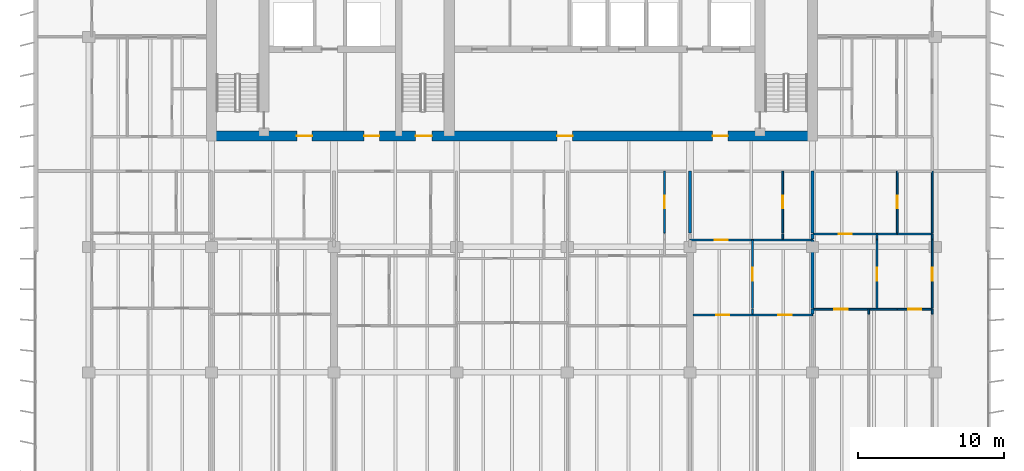
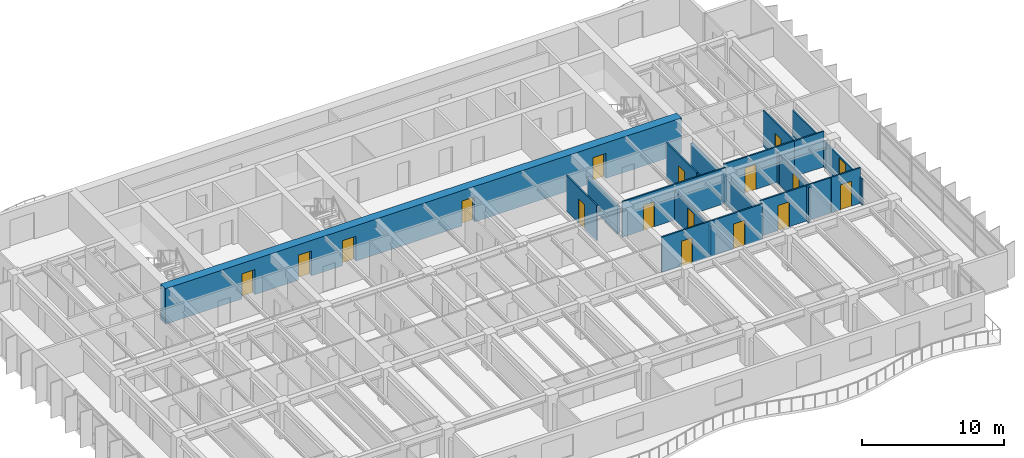
# One storey, part 11 of 18: 25 walls, 17 doors, 17 openings.
"""IFC4 building model written with IfcOpenShell, lengths in metres."""

from ifc_helpers import new_model, si_unit, direction, frame, frame_2d, origin, place, context, subcontext, project, spatial, rectangle, extrude, material, layer, layer_set, type_object, element, fill, save


model = new_model("IFC4")

# Units and contexts
model_context = context("Model", 3, precision=1e-05, world=origin(), true_north=direction((0.0, 1.0)))
body_context = subcontext(model_context, "Body", "Model", "MODEL_VIEW")
ifc_project = project(units=[si_unit("LENGTHUNIT", "METRE"), si_unit("AREAUNIT", "SQUARE_METRE"), si_unit("VOLUMEUNIT", "CUBIC_METRE"), si_unit("PLANEANGLEUNIT", "RADIAN"), si_unit("MASSUNIT", "GRAM", prefix="KILO")], contexts=[model_context])

# Site, building, storey
site_placement = place(None, origin())
site = spatial("IfcSite", under=ifc_project, at=site_placement, CompositionType="ELEMENT")
building_placement = place(site_placement, origin())
building = spatial("IfcBuilding", under=site, at=building_placement, Name="Caelmar Bay Residences", CompositionType="ELEMENT")
storey_placement = place(building_placement, frame((0.0, 0.0, 177.0)))
storey = spatial("IfcBuildingStorey", under=building, at=storey_placement, Name="L49", CompositionType="ELEMENT", Elevation=177.0)

# Wall, openings, doors
ifc_material_1 = material(Name="Concrete f'c 55 MPa (8,000 psi)", Category="concrete")
ifc_layer_1 = layer(ifc_material_1, 0.699951171875)
ifc_layer_set_1 = layer_set([ifc_layer_1], Name="Concrete f'c 55 MPa (8,000 psi)")
wall_type_1 = type_object("IfcWallType", Name="SW-COR-700", PredefinedType="SHEAR", material=ifc_layer_set_1)
wall_1_placement = place(storey_placement, frame((17.949951171875, 37.0, 0.0), z_axis=(0.0, 0.0, 1.0), x_axis=(1.0, 0.0, 0.0)))
wall_1 = element("IfcWall", 1, at=wall_1_placement, inside=storey, type_object=wall_type_1, Name="L49 Rear Core South Shear Wall", PredefinedType="SHEAR", context=body_context, shape_type="SweptSolid", body=[
    extrude(rectangle(XDim=41.900146484375, YDim=0.699951171875, at=frame_2d((20.9501953125, 0.0))), origin(), (0.0, 0.0, 1.0), 3.050048828125),
])
opening_1_placement = place(wall_1_placement, frame((14.35009765625, 0.0, 0.0)))
opening_1 = element("IfcOpeningElement", 2, at=opening_1_placement, cuts=wall_1, Name="Opening D-L49-105", PredefinedType="OPENING", context=body_context, shape_type="SweptSolid", body=[
    extrude(rectangle(XDim=1.10009765625, YDim=2.14990234375, at=frame_2d((0.550048828125, 1.074951171875))), frame((0.0, 0.35986328125, 0.0), z_axis=(0.0, -1.0, 0.0), x_axis=(1.0, 0.0, 0.0)), (0.0, 0.0, 1.0), 0.719970703125),
])
opening_2_placement = place(wall_1_placement, frame((6.199951171875, 0.0, 0.0)))
opening_2 = element("IfcOpeningElement", 3, at=opening_2_placement, cuts=wall_1, Name="Opening D-L49-106", PredefinedType="OPENING", context=body_context, shape_type="SweptSolid", body=[
    extrude(rectangle(XDim=1.050048828125, YDim=2.14990234375, at=frame_2d((0.52490234375, 1.074951171875))), frame((0.0, 0.35986328125, 0.0), z_axis=(0.0, -1.0, 0.0), x_axis=(1.0, 0.0, 0.0)), (0.0, 0.0, 1.0), 0.719970703125),
])
opening_3_placement = place(wall_1_placement, frame((34.699951171875, 0.0, 0.0)))
opening_3 = element("IfcOpeningElement", 4, at=opening_3_placement, cuts=wall_1, Name="Opening D-L49-109", PredefinedType="OPENING", context=body_context, shape_type="SweptSolid", body=[
    extrude(rectangle(XDim=1.050048828125, YDim=2.14990234375, at=frame_2d((0.52490234375, 1.074951171875))), frame((0.0, 0.35986328125, 0.0), z_axis=(0.0, -1.0, 0.0), x_axis=(1.0, 0.0, 0.0)), (0.0, 0.0, 1.0), 0.719970703125),
])
opening_4_placement = place(wall_1_placement, frame((10.8125, 0.0, 0.0)))
opening_4 = element("IfcOpeningElement", 5, at=opening_4_placement, cuts=wall_1, Name="Opening D-L49-112", PredefinedType="OPENING", context=body_context, shape_type="SweptSolid", body=[
    extrude(rectangle(XDim=1.050048828125, YDim=2.14990234375, at=frame_2d((0.52490234375, 1.074951171875))), frame((0.0, 0.35986328125, 0.0), z_axis=(0.0, -1.0, 0.0), x_axis=(1.0, 0.0, 0.0)), (0.0, 0.0, 1.0), 0.719970703125),
])
opening_5_placement = place(wall_1_placement, frame((24.050048828125, 0.0, 0.0)))
opening_5 = element("IfcOpeningElement", 6, at=opening_5_placement, cuts=wall_1, Name="Opening D-L49-113", PredefinedType="OPENING", context=body_context, shape_type="SweptSolid", body=[
    extrude(rectangle(XDim=1.050048828125, YDim=2.14990234375, at=frame_2d((0.52490234375, 1.074951171875))), frame((0.0, 0.35986328125, 0.0), z_axis=(0.0, -1.0, 0.0), x_axis=(1.0, 0.0, 0.0)), (0.0, 0.0, 1.0), 0.719970703125),
])
ifc_material_2 = material(Name="Fire-rated steel and walnut architectural door assembly", Category="steel")
ifc_layer_2 = layer(ifc_material_2, 0.050048828125)
ifc_layer_set_2 = layer_set([ifc_layer_2], Name="Fire-rated steel and walnut architectural door assembly")
door_type_1 = type_object("IfcDoorType", Name="D-FSAE-1050", OperationType="NOTDEFINED", PredefinedType="DOOR", material=ifc_layer_set_2)
door_1_placement = place(opening_2_placement, origin())
door_1 = element("IfcDoor", 7, at=door_1_placement, inside=storey, type_object=door_type_1, Name="L49 Firefighting Lobby West Door", OperationType="SINGLE_SWING_LEFT", OverallHeight=2.14990234375, OverallWidth=1.050048828125, PredefinedType="DOOR", context=body_context, shape_type="SweptSolid", body=[
    extrude(rectangle(XDim=1.050048828125, YDim=2.14990234375, at=frame_2d((0.52490234375, 1.074951171875))), frame((0.0, 0.02490234375, 0.0), z_axis=(0.0, -1.0, 0.0), x_axis=(1.0, 0.0, 0.0)), (0.0, 0.0, 1.0), 0.050048828125),
])
fill(opening_2, door_1)
door_2_placement = place(opening_3_placement, origin())
door_2 = element("IfcDoor", 8, at=door_2_placement, inside=storey, type_object=door_type_1, Name="L49 Firefighting Lobby East Door", OperationType="SINGLE_SWING_RIGHT", OverallHeight=2.14990234375, OverallWidth=1.050048828125, PredefinedType="DOOR", context=body_context, shape_type="SweptSolid", body=[
    extrude(rectangle(XDim=1.050048828125, YDim=2.14990234375, at=frame_2d((0.52490234375, 1.074951171875))), frame((0.0, 0.02490234375, 0.0), z_axis=(0.0, -1.0, 0.0), x_axis=(1.0, 0.0, 0.0)), (0.0, 0.0, 1.0), 0.050048828125),
])
fill(opening_3, door_2)
door_3_placement = place(opening_4_placement, origin())
door_3 = element("IfcDoor", 9, at=door_3_placement, inside=storey, type_object=door_type_1, Name="L49 West Lift Lobby Door", OperationType="SINGLE_SWING_LEFT", OverallHeight=2.14990234375, OverallWidth=1.050048828125, PredefinedType="DOOR", context=body_context, shape_type="SweptSolid", body=[
    extrude(rectangle(XDim=1.050048828125, YDim=2.14990234375, at=frame_2d((0.52490234375, 1.074951171875))), frame((0.0, 0.02490234375, 0.0), z_axis=(0.0, -1.0, 0.0), x_axis=(1.0, 0.0, 0.0)), (0.0, 0.0, 1.0), 0.050048828125),
])
fill(opening_4, door_3)
door_4_placement = place(opening_5_placement, origin())
door_4 = element("IfcDoor", 10, at=door_4_placement, inside=storey, type_object=door_type_1, Name="L49 Passenger Lift Lobby Door", OperationType="SINGLE_SWING_RIGHT", OverallHeight=2.14990234375, OverallWidth=1.050048828125, PredefinedType="DOOR", context=body_context, shape_type="SweptSolid", body=[
    extrude(rectangle(XDim=1.050048828125, YDim=2.14990234375, at=frame_2d((0.52490234375, 1.074951171875))), frame((0.0, 0.02490234375, 0.0), z_axis=(0.0, -1.0, 0.0), x_axis=(1.0, 0.0, 0.0)), (0.0, 0.0, 1.0), 0.050048828125),
])
fill(opening_5, door_4)
ifc_layer_3 = layer(ifc_material_2, 0.050048828125)
ifc_layer_set_3 = layer_set([ifc_layer_3], Name="Fire-rated steel and walnut architectural door assembly")
door_type_2 = type_object("IfcDoorType", Name="D-STAIR-1100", OperationType="NOTDEFINED", PredefinedType="DOOR", material=ifc_layer_set_3)
door_5_placement = place(opening_1_placement, origin())
door_5 = element("IfcDoor", 11, at=door_5_placement, inside=storey, type_object=door_type_2, Name="L49 Exit Stair ST3 Door", OperationType="SINGLE_SWING_RIGHT", OverallHeight=2.14990234375, OverallWidth=1.10009765625, PredefinedType="DOOR", context=body_context, shape_type="SweptSolid", body=[
    extrude(rectangle(XDim=1.10009765625, YDim=2.14990234375, at=frame_2d((0.550048828125, 1.074951171875))), frame((0.0, 0.02490234375, 0.0), z_axis=(0.0, -1.0, 0.0), x_axis=(1.0, 0.0, 0.0)), (0.0, 0.0, 1.0), 0.050048828125),
])
fill(opening_1, door_5)

# Wall, opening, door
ifc_material_3 = material(Name="Acoustic metal-stud gypsum partition 120 mm")
ifc_layer_4 = layer(ifc_material_3, 0.1201171875)
ifc_layer_set_4 = layer_set([ifc_layer_4], Name="Acoustic metal-stud gypsum partition 120 mm")
wall_type_2 = type_object("IfcWallType", Name="W-PRT-120", PredefinedType="PARTITIONING", material=ifc_layer_set_4)
wall_2_placement = place(storey_placement, frame((49.35888671875, 30.340087890625, 0.0), z_axis=(0.0, 0.0, 1.0), x_axis=(0.0, 1.0, 0.0)))
wall_2 = element("IfcWall", 12, at=wall_2_placement, inside=storey, type_object=wall_type_2, Name="L49 Partition Wall V066", PredefinedType="PARTITIONING", context=body_context, shape_type="SweptSolid", body=[
    extrude(rectangle(XDim=4.260009765625, YDim=0.1201171875, at=frame_2d((2.1298828125, 0.0))), origin(), (0.0, 0.0, 1.0), 3.050048828125),
])
opening_6_placement = place(wall_2_placement, frame((1.705078125, 0.0, 0.0)))
opening_6 = element("IfcOpeningElement", 13, at=opening_6_placement, cuts=wall_2, Name="Opening D-L49-146", PredefinedType="OPENING", context=body_context, shape_type="SweptSolid", body=[
    extrude(rectangle(XDim=0.85009765625, YDim=2.10009765625, at=frame_2d((0.425048828125, 1.050048828125))), frame((0.0, 0.070068359375, 0.0), z_axis=(0.0, -1.0, 0.0), x_axis=(1.0, 0.0, 0.0)), (0.0, 0.0, 1.0), 0.14013671875),
])
ifc_material_4 = material(Name="Solid walnut timber interior door leaf and frame", Category="wood")
ifc_layer_5 = layer(ifc_material_4, 0.050048828125)
ifc_layer_set_5 = layer_set([ifc_layer_5], Name="Solid walnut timber interior door leaf and frame")
door_type_3 = type_object("IfcDoorType", Name="D-BATH-850", OperationType="NOTDEFINED", PredefinedType="DOOR", material=ifc_layer_set_5)
door_6_placement = place(opening_6_placement, origin())
door_6 = element("IfcDoor", 14, at=door_6_placement, inside=storey, type_object=door_type_3, Name="L49 Residence 03 En-Suite Bathroom 2 Door", OperationType="SINGLE_SWING_LEFT", OverallHeight=2.10009765625, OverallWidth=0.85009765625, PredefinedType="DOOR", context=body_context, shape_type="SweptSolid", body=[
    extrude(rectangle(XDim=0.85009765625, YDim=2.10009765625, at=frame_2d((0.425048828125, 1.050048828125))), frame((0.0, 0.02490234375, 0.0), z_axis=(0.0, -1.0, 0.0), x_axis=(1.0, 0.0, 0.0)), (0.0, 0.0, 1.0), 0.050048828125),
])
fill(opening_6, door_6)

# Wall
wall_3_placement = place(storey_placement, frame((55.385986328125, 24.7900390625, 0.0), z_axis=(0.0, 0.0, 1.0), x_axis=(0.0, 1.0, 0.0)))
element("IfcWall", 15, at=wall_3_placement, inside=storey, type_object=wall_type_2, Name="L49 Partition Wall V075", PredefinedType="PARTITIONING", context=body_context, shape_type="SweptSolid", body=[
    extrude(rectangle(XDim=0.33984375, YDim=0.1201171875, at=frame_2d((0.169921875, 0.0))), origin(), (0.0, 0.0, 1.0), 2.4990234375),
])

# Wall, opening, door
wall_4_placement = place(storey_placement, frame((55.385986328125, 25.18994140625, 0.0), z_axis=(0.0, 0.0, 1.0), x_axis=(0.0, 1.0, 0.0)))
wall_4 = element("IfcWall", 16, at=wall_4_placement, inside=storey, type_object=wall_type_2, Name="L49 Partition Wall V076", PredefinedType="PARTITIONING", context=body_context, shape_type="SweptSolid", body=[
    extrude(rectangle(XDim=4.68994140625, YDim=0.1201171875, at=frame_2d((2.344970703125, 0.0))), origin(), (0.0, 0.0, 1.0), 2.4990234375),
])
opening_7_placement = place(wall_4_placement, frame((1.89501953125, 0.0, 0.0)))
opening_7 = element("IfcOpeningElement", 17, at=opening_7_placement, cuts=wall_4, Name="Opening D-L49-152", PredefinedType="OPENING", context=body_context, shape_type="SweptSolid", body=[
    extrude(rectangle(XDim=0.89990234375, YDim=2.14990234375, at=frame_2d((0.449951171875, 1.074951171875))), frame((0.0, 0.070068359375, 0.0), z_axis=(0.0, -1.0, 0.0), x_axis=(1.0, 0.0, 0.0)), (0.0, 0.0, 1.0), 0.14013671875),
])
ifc_layer_6 = layer(ifc_material_4, 0.050048828125)
ifc_layer_set_6 = layer_set([ifc_layer_6], Name="Solid walnut timber interior door leaf and frame")
door_type_4 = type_object("IfcDoorType", Name="D-ROOM-900", OperationType="NOTDEFINED", PredefinedType="DOOR", material=ifc_layer_set_6)
door_7_placement = place(opening_7_placement, origin())
door_7 = element("IfcDoor", 18, at=door_7_placement, inside=storey, type_object=door_type_4, Name="L49 Residence 04 Formal Dining Room Door", OperationType="SINGLE_SWING_LEFT", OverallHeight=2.14990234375, OverallWidth=0.89990234375, PredefinedType="DOOR", context=body_context, shape_type="SweptSolid", body=[
    extrude(rectangle(XDim=0.89990234375, YDim=2.14990234375, at=frame_2d((0.449951171875, 1.074951171875))), frame((0.0, 0.02490234375, 0.0), z_axis=(0.0, -1.0, 0.0), x_axis=(1.0, 0.0, 0.0)), (0.0, 0.0, 1.0), 0.050048828125),
])
fill(opening_7, door_7)

# Wall
wall_5_placement = place(storey_placement, frame((57.466064453125, 29.93994140625, 0.0), z_axis=(0.0, 0.0, 1.0), x_axis=(0.0, 1.0, 0.0)))
element("IfcWall", 19, at=wall_5_placement, inside=storey, type_object=wall_type_2, Name="L49 Partition Wall V080", PredefinedType="PARTITIONING", context=body_context, shape_type="SweptSolid", body=[
    extrude(rectangle(XDim=0.340087890625, YDim=0.1201171875, at=frame_2d((0.169921875, 0.0))), origin(), (0.0, 0.0, 1.0), 3.050048828125),
])

# Wall, opening, door
wall_6_placement = place(storey_placement, frame((57.466064453125, 30.340087890625, 0.0), z_axis=(0.0, 0.0, 1.0), x_axis=(0.0, 1.0, 0.0)))
wall_6 = element("IfcWall", 20, at=wall_6_placement, inside=storey, type_object=wall_type_2, Name="L49 Partition Wall V081", PredefinedType="PARTITIONING", context=body_context, shape_type="SweptSolid", body=[
    extrude(rectangle(XDim=4.260009765625, YDim=0.1201171875, at=frame_2d((2.1298828125, 0.0))), origin(), (0.0, 0.0, 1.0), 3.050048828125),
])
opening_8_placement = place(wall_6_placement, frame((1.705078125, 0.0, 0.0)))
opening_8 = element("IfcOpeningElement", 21, at=opening_8_placement, cuts=wall_6, Name="Opening D-L49-150", PredefinedType="OPENING", context=body_context, shape_type="SweptSolid", body=[
    extrude(rectangle(XDim=0.85009765625, YDim=2.10009765625, at=frame_2d((0.425048828125, 1.050048828125))), frame((0.0, 0.070068359375, 0.0), z_axis=(0.0, -1.0, 0.0), x_axis=(1.0, 0.0, 0.0)), (0.0, 0.0, 1.0), 0.14013671875),
])
door_8_placement = place(opening_8_placement, origin())
door_8 = element("IfcDoor", 22, at=door_8_placement, inside=storey, type_object=door_type_3, Name="L49 Residence 04 Bathroom Door", OperationType="SINGLE_SWING_LEFT", OverallHeight=2.10009765625, OverallWidth=0.85009765625, PredefinedType="DOOR", context=body_context, shape_type="SweptSolid", body=[
    extrude(rectangle(XDim=0.85009765625, YDim=2.10009765625, at=frame_2d((0.425048828125, 1.050048828125))), frame((0.0, 0.02490234375, 0.0), z_axis=(0.0, -1.0, 0.0), x_axis=(1.0, 0.0, 0.0)), (0.0, 0.0, 1.0), 0.050048828125),
])
fill(opening_8, door_8)

# Wall
wall_7_placement = place(storey_placement, frame((63.35400390625, 24.7900390625, 0.0), z_axis=(0.0, 0.0, 1.0), x_axis=(0.0, 1.0, 0.0)))
element("IfcWall", 23, at=wall_7_placement, inside=storey, type_object=wall_type_2, Name="L49 Partition Wall V091", PredefinedType="PARTITIONING", context=body_context, shape_type="SweptSolid", body=[
    extrude(rectangle(XDim=0.33984375, YDim=0.1201171875, at=frame_2d((0.169921875, 0.0))), origin(), (0.0, 0.0, 1.0), 3.050048828125),
])

# Wall, opening, door
wall_8_placement = place(storey_placement, frame((63.927978515625, 25.18994140625, 0.0), z_axis=(0.0, 0.0, 1.0), x_axis=(0.0, 1.0, 0.0)))
wall_8 = element("IfcWall", 24, at=wall_8_placement, inside=storey, type_object=wall_type_2, Name="L49 Partition Wall V092", PredefinedType="PARTITIONING", context=body_context, shape_type="SweptSolid", body=[
    extrude(rectangle(XDim=4.68994140625, YDim=0.1201171875, at=frame_2d((2.344970703125, 0.0))), origin(), (0.0, 0.0, 1.0), 2.4990234375),
])
opening_9_placement = place(wall_8_placement, frame((1.89501953125, 0.0, 0.0)))
opening_9 = element("IfcOpeningElement", 25, at=opening_9_placement, cuts=wall_8, Name="Opening D-L49-159", PredefinedType="OPENING", context=body_context, shape_type="SweptSolid", body=[
    extrude(rectangle(XDim=0.89990234375, YDim=2.14990234375, at=frame_2d((0.449951171875, 1.074951171875))), frame((0.0, 0.070068359375, 0.0), z_axis=(0.0, -1.0, 0.0), x_axis=(1.0, 0.0, 0.0)), (0.0, 0.0, 1.0), 0.14013671875),
])
door_9_placement = place(opening_9_placement, origin())
door_9 = element("IfcDoor", 26, at=door_9_placement, inside=storey, type_object=door_type_4, Name="L49 Residence 05 Formal Dining Room Door", OperationType="SINGLE_SWING_RIGHT", OverallHeight=2.14990234375, OverallWidth=0.89990234375, PredefinedType="DOOR", context=body_context, shape_type="SweptSolid", body=[
    extrude(rectangle(XDim=0.89990234375, YDim=2.14990234375, at=frame_2d((0.449951171875, 1.074951171875))), frame((0.0, 0.02490234375, 0.0), z_axis=(0.0, -1.0, 0.0), x_axis=(1.0, 0.0, 0.0)), (0.0, 0.0, 1.0), 0.050048828125),
])
fill(opening_9, door_9)

# Wall
wall_9_placement = place(storey_placement, frame((63.927978515625, 29.93994140625, 0.0), z_axis=(0.0, 0.0, 1.0), x_axis=(0.0, 1.0, 0.0)))
element("IfcWall", 27, at=wall_9_placement, inside=storey, type_object=wall_type_2, Name="L49 Partition Wall V093", PredefinedType="PARTITIONING", context=body_context, shape_type="SweptSolid", body=[
    extrude(rectangle(XDim=0.340087890625, YDim=0.1201171875, at=frame_2d((0.169921875, 0.0))), origin(), (0.0, 0.0, 1.0), 2.4990234375),
])

# Wall, opening, door
wall_10_placement = place(storey_placement, frame((65.31591796875, 30.340087890625, 0.0), z_axis=(0.0, 0.0, 1.0), x_axis=(0.0, 1.0, 0.0)))
wall_10 = element("IfcWall", 28, at=wall_10_placement, inside=storey, type_object=wall_type_2, Name="L49 Partition Wall V095", PredefinedType="PARTITIONING", context=body_context, shape_type="SweptSolid", body=[
    extrude(rectangle(XDim=4.260009765625, YDim=0.1201171875, at=frame_2d((2.1298828125, 0.0))), origin(), (0.0, 0.0, 1.0), 3.050048828125),
])
opening_10_placement = place(wall_10_placement, frame((1.705078125, 0.0, 0.0)))
opening_10 = element("IfcOpeningElement", 29, at=opening_10_placement, cuts=wall_10, Name="Opening D-L49-157", PredefinedType="OPENING", context=body_context, shape_type="SweptSolid", body=[
    extrude(rectangle(XDim=0.85009765625, YDim=2.10009765625, at=frame_2d((0.425048828125, 1.050048828125))), frame((0.0, 0.070068359375, 0.0), z_axis=(0.0, -1.0, 0.0), x_axis=(1.0, 0.0, 0.0)), (0.0, 0.0, 1.0), 0.14013671875),
])
door_10_placement = place(opening_10_placement, origin())
door_10 = element("IfcDoor", 30, at=door_10_placement, inside=storey, type_object=door_type_3, Name="L49 Residence 05 Bathroom Door", OperationType="SINGLE_SWING_RIGHT", OverallHeight=2.10009765625, OverallWidth=0.85009765625, PredefinedType="DOOR", context=body_context, shape_type="SweptSolid", body=[
    extrude(rectangle(XDim=0.85009765625, YDim=2.10009765625, at=frame_2d((0.425048828125, 1.050048828125))), frame((0.0, 0.02490234375, 0.0), z_axis=(0.0, -1.0, 0.0), x_axis=(1.0, 0.0, 0.0)), (0.0, 0.0, 1.0), 0.050048828125),
])
fill(opening_10, door_10)

# Wall
wall_11_placement = place(storey_placement, frame((67.699951171875, 24.7900390625, 0.0), z_axis=(0.0, 0.0, 1.0), x_axis=(0.0, 1.0, 0.0)))
element("IfcWall", 31, at=wall_11_placement, inside=storey, type_object=wall_type_2, Name="L49 Partition Wall V097", PredefinedType="PARTITIONING", context=body_context, shape_type="SweptSolid", body=[
    extrude(rectangle(XDim=0.33984375, YDim=0.1201171875, at=frame_2d((0.169921875, 0.0))), origin(), (0.0, 0.0, 1.0), 2.262939453125),
])

# Wall, opening, door
wall_12_placement = place(storey_placement, frame((67.699951171875, 25.18994140625, 0.0), z_axis=(0.0, 0.0, 1.0), x_axis=(0.0, 1.0, 0.0)))
wall_12 = element("IfcWall", 32, at=wall_12_placement, inside=storey, type_object=wall_type_2, Name="L49 Partition Wall V098", PredefinedType="PARTITIONING", context=body_context, shape_type="SweptSolid", body=[
    extrude(rectangle(XDim=4.68994140625, YDim=0.1201171875, at=frame_2d((2.344970703125, 0.0))), origin(), (0.0, 0.0, 1.0), 2.262939453125),
])
opening_11_placement = place(wall_12_placement, frame((1.89501953125, 0.0, 0.0)))
opening_11 = element("IfcOpeningElement", 33, at=opening_11_placement, cuts=wall_12, Name="Opening D-L49-164", PredefinedType="OPENING", context=body_context, shape_type="SweptSolid", body=[
    extrude(rectangle(XDim=0.89990234375, YDim=2.14990234375, at=frame_2d((0.449951171875, 1.074951171875))), frame((0.0, 0.070068359375, 0.0), z_axis=(0.0, -1.0, 0.0), x_axis=(1.0, 0.0, 0.0)), (0.0, 0.0, 1.0), 0.14013671875),
])
door_11_placement = place(opening_11_placement, origin())
door_11 = element("IfcDoor", 34, at=door_11_placement, inside=storey, type_object=door_type_4, Name="L49 Residence 05 Penthouse East Salon Door", OperationType="SINGLE_SWING_LEFT", OverallHeight=2.14990234375, OverallWidth=0.89990234375, PredefinedType="DOOR", context=body_context, shape_type="SweptSolid", body=[
    extrude(rectangle(XDim=0.89990234375, YDim=2.14990234375, at=frame_2d((0.449951171875, 1.074951171875))), frame((0.0, 0.02490234375, 0.0), z_axis=(0.0, -1.0, 0.0), x_axis=(1.0, 0.0, 0.0)), (0.0, 0.0, 1.0), 0.050048828125),
])
fill(opening_11, door_11)

# Walls
wall_13_placement = place(storey_placement, frame((67.699951171875, 29.93994140625, 0.0), z_axis=(0.0, 0.0, 1.0), x_axis=(0.0, 1.0, 0.0)))
element("IfcWall", 35, at=wall_13_placement, inside=storey, type_object=wall_type_2, Name="L49 Partition Wall V099", PredefinedType="PARTITIONING", context=body_context, shape_type="SweptSolid", body=[
    extrude(rectangle(XDim=0.340087890625, YDim=0.1201171875, at=frame_2d((0.169921875, 0.0))), origin(), (0.0, 0.0, 1.0), 2.262939453125),
])
wall_14_placement = place(storey_placement, frame((67.699951171875, 30.340087890625, 0.0), z_axis=(0.0, 0.0, 1.0), x_axis=(0.0, 1.0, 0.0)))
element("IfcWall", 36, at=wall_14_placement, inside=storey, type_object=wall_type_2, Name="L49 Partition Wall V100", PredefinedType="PARTITIONING", context=body_context, shape_type="SweptSolid", body=[
    extrude(rectangle(XDim=4.260009765625, YDim=0.1201171875, at=frame_2d((2.1298828125, 0.0))), origin(), (0.0, 0.0, 1.0), 2.262939453125),
])

# Wall, openings, doors
wall_15_placement = place(storey_placement, frame((51.320068359375, 24.72998046875, 0.0), z_axis=(0.0, 0.0, 1.0), x_axis=(1.0, 0.0, 0.0)))
wall_15 = element("IfcWall", 37, at=wall_15_placement, inside=storey, type_object=wall_type_2, Name="L49 Partition Wall H113", PredefinedType="PARTITIONING", context=body_context, shape_type="SweptSolid", body=[
    extrude(rectangle(XDim=8.179931640625, YDim=0.1201171875, at=frame_2d((4.08984375, 0.0))), origin(), (0.0, 0.0, 1.0), 3.050048828125),
])
opening_12_placement = place(wall_15_placement, frame((1.5830078125, 0.0, 0.0)))
opening_12 = element("IfcOpeningElement", 38, at=opening_12_placement, cuts=wall_15, Name="Opening D-L49-153", PredefinedType="OPENING", context=body_context, shape_type="SweptSolid", body=[
    extrude(rectangle(XDim=0.89990234375, YDim=2.14990234375, at=frame_2d((0.449951171875, 1.074951171875))), frame((0.0, 0.070068359375, 0.0), z_axis=(0.0, -1.0, 0.0), x_axis=(1.0, 0.0, 0.0)), (0.0, 0.0, 1.0), 0.14013671875),
])
opening_13_placement = place(wall_15_placement, frame((5.840087890625, 0.0, 0.0)))
opening_13 = element("IfcOpeningElement", 39, at=opening_13_placement, cuts=wall_15, Name="Opening D-L49-154", PredefinedType="OPENING", context=body_context, shape_type="SweptSolid", body=[
    extrude(rectangle(XDim=0.89990234375, YDim=2.14990234375, at=frame_2d((0.449951171875, 1.074951171875))), frame((0.0, 0.070068359375, 0.0), z_axis=(0.0, -1.0, 0.0), x_axis=(1.0, 0.0, 0.0)), (0.0, 0.0, 1.0), 0.14013671875),
])
door_12_placement = place(opening_12_placement, origin())
door_12 = element("IfcDoor", 40, at=door_12_placement, inside=storey, type_object=door_type_4, Name="L49 Residence 04 Penthouse Living Salon Door", OperationType="SINGLE_SWING_RIGHT", OverallHeight=2.14990234375, OverallWidth=0.89990234375, PredefinedType="DOOR", context=body_context, shape_type="SweptSolid", body=[
    extrude(rectangle(XDim=0.89990234375, YDim=2.14990234375, at=frame_2d((0.449951171875, 1.074951171875))), frame((0.0, 0.02490234375, 0.0), z_axis=(0.0, -1.0, 0.0), x_axis=(1.0, 0.0, 0.0)), (0.0, 0.0, 1.0), 0.050048828125),
])
fill(opening_12, door_12)
door_13_placement = place(opening_13_placement, origin())
door_13 = element("IfcDoor", 41, at=door_13_placement, inside=storey, type_object=door_type_4, Name="L49 Residence 04 Penthouse Sitting Room Door", OperationType="SINGLE_SWING_LEFT", OverallHeight=2.14990234375, OverallWidth=0.89990234375, PredefinedType="DOOR", context=body_context, shape_type="SweptSolid", body=[
    extrude(rectangle(XDim=0.89990234375, YDim=2.14990234375, at=frame_2d((0.449951171875, 1.074951171875))), frame((0.0, 0.02490234375, 0.0), z_axis=(0.0, -1.0, 0.0), x_axis=(1.0, 0.0, 0.0)), (0.0, 0.0, 1.0), 0.050048828125),
])
fill(opening_13, door_13)

# Wall, opening, door
wall_16_placement = place(storey_placement, frame((59.550048828125, 25.1298828125, 0.0), z_axis=(0.0, 0.0, 1.0), x_axis=(1.0, 0.0, 0.0)))
wall_16 = element("IfcWall", 42, at=wall_16_placement, inside=storey, type_object=wall_type_2, Name="L49 Partition Wall H115", PredefinedType="PARTITIONING", context=body_context, shape_type="SweptSolid", body=[
    extrude(rectangle(XDim=5.72998046875, YDim=0.1201171875, at=frame_2d((2.864990234375, 0.0))), origin(), (0.0, 0.0, 1.0), 3.050048828125),
])
opening_14_placement = place(wall_16_placement, frame((1.451904296875, 0.0, 0.0)))
opening_14 = element("IfcOpeningElement", 43, at=opening_14_placement, cuts=wall_16, Name="Opening D-L49-160", PredefinedType="OPENING", context=body_context, shape_type="SweptSolid", body=[
    extrude(rectangle(XDim=0.89990234375, YDim=2.14990234375, at=frame_2d((0.449951171875, 1.074951171875))), frame((0.0, 0.070068359375, 0.0), z_axis=(0.0, -1.0, 0.0), x_axis=(1.0, 0.0, 0.0)), (0.0, 0.0, 1.0), 0.14013671875),
])
door_14_placement = place(opening_14_placement, origin())
door_14 = element("IfcDoor", 44, at=door_14_placement, inside=storey, type_object=door_type_4, Name="L49 Residence 05 Living Room Door", OperationType="SINGLE_SWING_LEFT", OverallHeight=2.14990234375, OverallWidth=0.89990234375, PredefinedType="DOOR", context=body_context, shape_type="SweptSolid", body=[
    extrude(rectangle(XDim=0.89990234375, YDim=2.14990234375, at=frame_2d((0.449951171875, 1.074951171875))), frame((0.0, 0.02490234375, 0.0), z_axis=(0.0, -1.0, 0.0), x_axis=(1.0, 0.0, 0.0)), (0.0, 0.0, 1.0), 0.050048828125),
])
fill(opening_14, door_14)

wall_17_placement = place(storey_placement, frame((65.31591796875, 25.1298828125, 0.0), z_axis=(0.0, 0.0, 1.0), x_axis=(1.0, 0.0, 0.0)))
wall_17 = element("IfcWall", 45, at=wall_17_placement, inside=storey, type_object=wall_type_2, Name="L49 Partition Wall H116", PredefinedType="PARTITIONING", context=body_context, shape_type="SweptSolid", body=[
    extrude(rectangle(XDim=2.384033203125, YDim=0.1201171875, at=frame_2d((1.19189453125, 0.0))), origin(), (0.0, 0.0, 1.0), 3.050048828125),
])
opening_15_placement = place(wall_17_placement, frame((0.741943359375, 0.0, 0.0)))
opening_15 = element("IfcOpeningElement", 46, at=opening_15_placement, cuts=wall_17, Name="Opening D-L49-161", PredefinedType="OPENING", context=body_context, shape_type="SweptSolid", body=[
    extrude(rectangle(XDim=0.89990234375, YDim=2.14990234375, at=frame_2d((0.449951171875, 1.074951171875))), frame((0.0, 0.070068359375, 0.0), z_axis=(0.0, -1.0, 0.0), x_axis=(1.0, 0.0, 0.0)), (0.0, 0.0, 1.0), 0.14013671875),
])
door_15_placement = place(opening_15_placement, origin())
door_15 = element("IfcDoor", 47, at=door_15_placement, inside=storey, type_object=door_type_4, Name="L49 Residence 05 Penthouse Sitting Room Door", OperationType="SINGLE_SWING_RIGHT", OverallHeight=2.14990234375, OverallWidth=0.89990234375, PredefinedType="DOOR", context=body_context, shape_type="SweptSolid", body=[
    extrude(rectangle(XDim=0.89990234375, YDim=2.14990234375, at=frame_2d((0.449951171875, 1.074951171875))), frame((0.0, 0.02490234375, 0.0), z_axis=(0.0, -1.0, 0.0), x_axis=(1.0, 0.0, 0.0)), (0.0, 0.0, 1.0), 0.050048828125),
])
fill(opening_15, door_15)

wall_18_placement = place(storey_placement, frame((51.10009765625, 29.8798828125, 0.0), z_axis=(0.0, 0.0, 1.0), x_axis=(1.0, 0.0, 0.0)))
wall_18 = element("IfcWall", 48, at=wall_18_placement, inside=storey, type_object=wall_type_2, Name="L49 Partition Wall H121", PredefinedType="PARTITIONING", context=body_context, shape_type="SweptSolid", body=[
    extrude(rectangle(XDim=8.39990234375, YDim=0.1201171875, at=frame_2d((4.199951171875, 0.0))), origin(), (0.0, 0.0, 1.0), 3.050048828125),
])
opening_16_placement = place(wall_18_placement, frame((1.693115234375, 0.0, 0.0)))
opening_16 = element("IfcOpeningElement", 49, at=opening_16_placement, cuts=wall_18, Name="Opening D-L49-151", PredefinedType="OPENING", context=body_context, shape_type="SweptSolid", body=[
    extrude(rectangle(XDim=0.89990234375, YDim=2.14990234375, at=frame_2d((0.449951171875, 1.074951171875))), frame((0.0, 0.070068359375, 0.0), z_axis=(0.0, -1.0, 0.0), x_axis=(1.0, 0.0, 0.0)), (0.0, 0.0, 1.0), 0.14013671875),
])
door_16_placement = place(opening_16_placement, origin())
door_16 = element("IfcDoor", 50, at=door_16_placement, inside=storey, type_object=door_type_4, Name="L49 Residence 04 Kitchen Door", OperationType="SINGLE_SWING_RIGHT", OverallHeight=2.14990234375, OverallWidth=0.89990234375, PredefinedType="DOOR", context=body_context, shape_type="SweptSolid", body=[
    extrude(rectangle(XDim=0.89990234375, YDim=2.14990234375, at=frame_2d((0.449951171875, 1.074951171875))), frame((0.0, 0.02490234375, 0.0), z_axis=(0.0, -1.0, 0.0), x_axis=(1.0, 0.0, 0.0)), (0.0, 0.0, 1.0), 0.050048828125),
])
fill(opening_16, door_16)

wall_19_placement = place(storey_placement, frame((59.550048828125, 30.280029296875, 0.0), z_axis=(0.0, 0.0, 1.0), x_axis=(1.0, 0.0, 0.0)))
wall_19 = element("IfcWall", 51, at=wall_19_placement, inside=storey, type_object=wall_type_2, Name="L49 Partition Wall H123", PredefinedType="PARTITIONING", context=body_context, shape_type="SweptSolid", body=[
    extrude(rectangle(XDim=5.72998046875, YDim=0.1201171875, at=frame_2d((2.864990234375, 0.0))), origin(), (0.0, 0.0, 1.0), 3.050048828125),
])
opening_17_placement = place(wall_19_placement, frame((1.739013671875, 0.0, 0.0)))
opening_17 = element("IfcOpeningElement", 52, at=opening_17_placement, cuts=wall_19, Name="Opening D-L49-158", PredefinedType="OPENING", context=body_context, shape_type="SweptSolid", body=[
    extrude(rectangle(XDim=0.89990234375, YDim=2.14990234375, at=frame_2d((0.449951171875, 1.074951171875))), frame((0.0, 0.070068359375, 0.0), z_axis=(0.0, -1.0, 0.0), x_axis=(1.0, 0.0, 0.0)), (0.0, 0.0, 1.0), 0.14013671875),
])
door_17_placement = place(opening_17_placement, origin())
door_17 = element("IfcDoor", 53, at=door_17_placement, inside=storey, type_object=door_type_4, Name="L49 Residence 05 Kitchen Door", OperationType="SINGLE_SWING_LEFT", OverallHeight=2.14990234375, OverallWidth=0.89990234375, PredefinedType="DOOR", context=body_context, shape_type="SweptSolid", body=[
    extrude(rectangle(XDim=0.89990234375, YDim=2.14990234375, at=frame_2d((0.449951171875, 1.074951171875))), frame((0.0, 0.02490234375, 0.0), z_axis=(0.0, -1.0, 0.0), x_axis=(1.0, 0.0, 0.0)), (0.0, 0.0, 1.0), 0.050048828125),
])
fill(opening_17, door_17)

# Walls
wall_20_placement = place(storey_placement, frame((65.31591796875, 30.280029296875, 0.0), z_axis=(0.0, 0.0, 1.0), x_axis=(1.0, 0.0, 0.0)))
element("IfcWall", 54, at=wall_20_placement, inside=storey, type_object=wall_type_2, Name="L49 Partition Wall H124", PredefinedType="PARTITIONING", context=body_context, shape_type="SweptSolid", body=[
    extrude(rectangle(XDim=2.384033203125, YDim=0.1201171875, at=frame_2d((1.19189453125, 0.0))), origin(), (0.0, 0.0, 1.0), 3.050048828125),
])
ifc_material_5 = material(Name="Acoustic twin-stud fire-rated inter-tenancy partition 200 mm")
ifc_layer_7 = layer(ifc_material_5, 0.199951171875)
ifc_layer_set_7 = layer_set([ifc_layer_7], Name="Acoustic twin-stud fire-rated inter-tenancy partition 200 mm")
wall_type_3 = type_object("IfcWallType", Name="W-PTY-200", PredefinedType="PARTITIONING", material=ifc_layer_set_7)
wall_21_placement = place(storey_placement, frame((51.10009765625, 30.340087890625, 0.0), z_axis=(0.0, 0.0, 1.0), x_axis=(0.0, 1.0, 0.0)))
element("IfcWall", 55, at=wall_21_placement, inside=storey, type_object=wall_type_3, Name="L49 Partition Wall V073", PredefinedType="PARTITIONING", context=body_context, shape_type="SweptSolid", body=[
    extrude(rectangle(XDim=4.260009765625, YDim=0.199951171875, at=frame_2d((2.1298828125, 0.0))), origin(), (0.0, 0.0, 1.0), 2.3349609375),
])
wall_22_placement = place(storey_placement, frame((59.5, 24.7900390625, 0.0), z_axis=(0.0, 0.0, 1.0), x_axis=(0.0, 1.0, 0.0)))
element("IfcWall", 56, at=wall_22_placement, inside=storey, type_object=wall_type_3, Name="L49 Partition Wall V084", PredefinedType="PARTITIONING", context=body_context, shape_type="SweptSolid", body=[
    extrude(rectangle(XDim=0.33984375, YDim=0.199951171875, at=frame_2d((0.169921875, 0.0))), origin(), (0.0, 0.0, 1.0), 2.262939453125),
])
wall_23_placement = place(storey_placement, frame((59.5, 25.18994140625, 0.0), z_axis=(0.0, 0.0, 1.0), x_axis=(0.0, 1.0, 0.0)))
element("IfcWall", 57, at=wall_23_placement, inside=storey, type_object=wall_type_3, Name="L49 Partition Wall V085", PredefinedType="PARTITIONING", context=body_context, shape_type="SweptSolid", body=[
    extrude(rectangle(XDim=4.68994140625, YDim=0.199951171875, at=frame_2d((2.344970703125, 0.0))), origin(), (0.0, 0.0, 1.0), 2.262939453125),
])
wall_24_placement = place(storey_placement, frame((59.5, 29.93994140625, 0.0), z_axis=(0.0, 0.0, 1.0), x_axis=(0.0, 1.0, 0.0)))
element("IfcWall", 58, at=wall_24_placement, inside=storey, type_object=wall_type_3, Name="L49 Partition Wall V086", PredefinedType="PARTITIONING", context=body_context, shape_type="SweptSolid", body=[
    extrude(rectangle(XDim=0.340087890625, YDim=0.199951171875, at=frame_2d((0.169921875, 0.0))), origin(), (0.0, 0.0, 1.0), 2.262939453125),
])
wall_25_placement = place(storey_placement, frame((59.5, 30.340087890625, 0.0), z_axis=(0.0, 0.0, 1.0), x_axis=(0.0, 1.0, 0.0)))
element("IfcWall", 59, at=wall_25_placement, inside=storey, type_object=wall_type_3, Name="L49 Partition Wall V087", PredefinedType="PARTITIONING", context=body_context, shape_type="SweptSolid", body=[
    extrude(rectangle(XDim=4.260009765625, YDim=0.199951171875, at=frame_2d((2.1298828125, 0.0))), origin(), (0.0, 0.0, 1.0), 2.262939453125),
])

save(model, "model.ifc")
